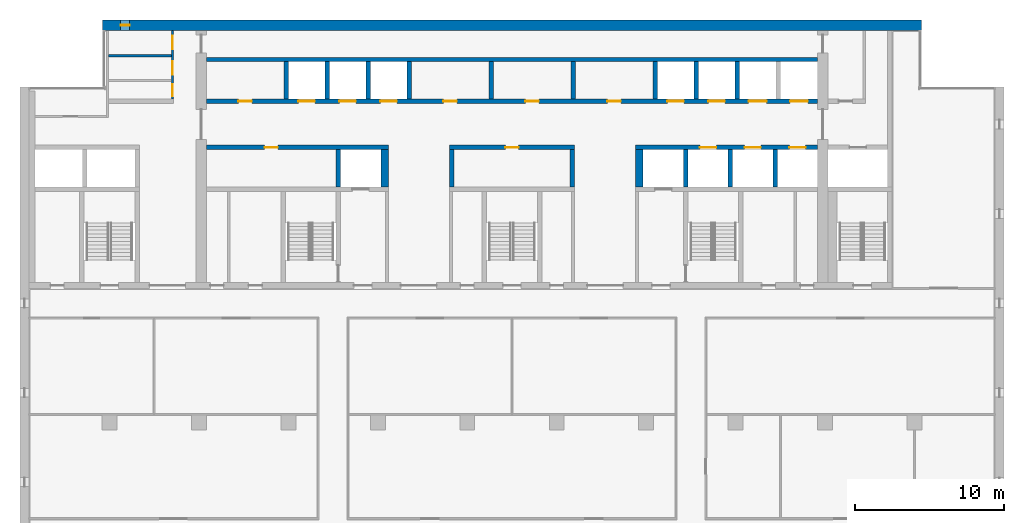
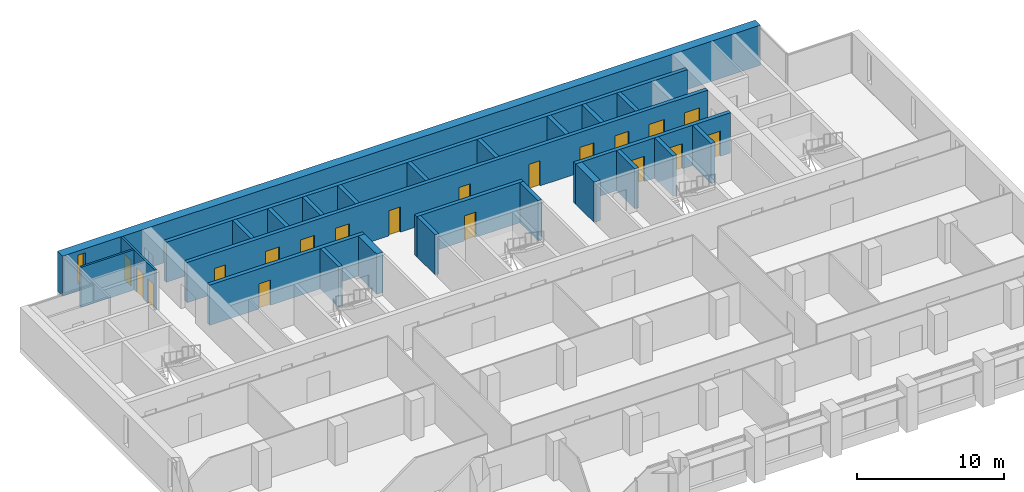
# One storey, part 11 of 17: 25 walls, 19 doors, 1 window, 20 openings.
"""IFC4 building model written with IfcOpenShell, lengths in metres."""

import ifcopenshell
import ifcopenshell.guid

model = None  # the IFC model being written
_history = None  # IfcOwnerHistory: only IFC2X3 demands one
_inside = {}  # id of a spatial element -> (the spatial element, [elements in it])
_under = {}  # id of a project, library or spatial element -> (it, [spatial elements below it])
_declared = {}  # id of a project -> (the project, [libraries it declares])
_typed = {}  # id of a type object -> (the type object, [elements of that type])
_made_of = {}  # id of a material, layer set ... -> (it, [elements and type objects made of it])


def new_model(schema):
    """Start an empty IFC model of exactly this schema.

    Asked for "IFC4X3", IfcOpenShell would pick the latest addendum, in which some entities
    have other attributes; the version numbers below select the first issue.
    IFC2X3 requires an IfcOwnerHistory on every rooted entity: one is made here for all.
    """
    global model, _history
    if schema == "IFC4X3":
        model = ifcopenshell.file(schema_version=(4, 3, 0, 0))
    else:
        model = ifcopenshell.file(schema=schema)
    _inside.clear()
    _under.clear()
    _declared.clear()
    _typed.clear()
    _made_of.clear()
    _history = None
    if model.schema == "IFC2X3":
        org = make("IfcOrganization", Name="unknown")
        user = make(
            "IfcPersonAndOrganization",
            ThePerson=make("IfcPerson", FamilyName="unknown"),
            TheOrganization=org,
        )
        app = make(
            "IfcApplication",
            ApplicationDeveloper=org,
            Version="unknown",
            ApplicationFullName="unknown",
            ApplicationIdentifier="unknown",
        )
        _history = make(
            "IfcOwnerHistory",
            OwningUser=user,
            OwningApplication=app,
            ChangeAction="ADDED",
            CreationDate=0,
        )
    return model


def make(cls, **values):
    """One entity of the class cls with the attributes given. An attribute that is None is left unset."""
    return model.create_entity(
        cls, **{name: value for name, value in values.items() if value is not None}
    )


def rooted(cls, **values):
    """An entity with a GlobalId (a new one), such as an element, a storey or a relation."""
    return make(cls, GlobalId=ifcopenshell.guid.new(), OwnerHistory=_history, **values)


def si_unit(unit_type, name, prefix=None):
    """IfcSIUnit, for example si_unit("LENGTHUNIT", "METRE", prefix="MILLI")."""
    return make("IfcSIUnit", UnitType=unit_type, Prefix=prefix, Name=name)


def assignment(units):
    """IfcUnitAssignment: the units of a project."""
    return None if units is None else make("IfcUnitAssignment", Units=units)


def point(xyz):
    """IfcCartesianPoint."""
    return None if xyz is None else make("IfcCartesianPoint", Coordinates=xyz)


def direction(xyz):
    """IfcDirection."""
    return None if xyz is None else make("IfcDirection", DirectionRatios=xyz)


def frame(location, z_axis=None, x_axis=None):
    """IfcAxis2Placement3D, a coordinate frame: its origin and axes. An axis left out is left unset."""
    return make(
        "IfcAxis2Placement3D",
        Location=point(location),
        Axis=direction(z_axis),
        RefDirection=direction(x_axis),
    )


def frame_2d(location, x_axis=None):
    """IfcAxis2Placement2D, a coordinate frame in the plane: its origin and x axis."""
    return make(
        "IfcAxis2Placement2D", Location=point(location), RefDirection=direction(x_axis)
    )


def origin():
    """The frame at (0, 0, 0) with its axes left unset."""
    return frame((0.0, 0.0, 0.0))


def place(relative_to, where):
    """IfcLocalPlacement: puts the frame where relative to a parent placement (None: the world)."""
    return make(
        "IfcLocalPlacement", PlacementRelTo=relative_to, RelativePlacement=where
    )


def context(
    kind, dimensions, precision=None, world=None, true_north=None, identifier=None
):
    """IfcGeometricRepresentationContext, for example the 3D "Model" context."""
    return make(
        "IfcGeometricRepresentationContext",
        ContextIdentifier=identifier,
        ContextType=kind,
        CoordinateSpaceDimension=dimensions,
        Precision=precision,
        WorldCoordinateSystem=world,
        TrueNorth=true_north,
    )


def subcontext(parent, identifier, kind, view, scale=None):
    """IfcGeometricRepresentationSubContext, for example "Body" below "Model"."""
    return make(
        "IfcGeometricRepresentationSubContext",
        ContextIdentifier=identifier,
        ContextType=kind,
        ParentContext=parent,
        TargetScale=scale,
        TargetView=view,
    )


def project(units=None, contexts=None):
    """IfcProject with its units and contexts."""
    return rooted(
        "IfcProject",
        Name="project",
        RepresentationContexts=contexts,
        UnitsInContext=assignment(units),
    )


def spatial(cls, under=None, at=None, **own):
    """A site, building, storey or space (cls), placed at a placement, below another one or the project."""
    s = rooted(cls, ObjectPlacement=at, **own)
    if under is not None:
        _under.setdefault(under.id(), (under, []))[1].append(s)
    return s


def profile(cls, at=None, kind="AREA", **sizes):
    """A parametric profile (cls). Its sizes go by their IFC names, for example OverallWidth=200.0."""
    return make(cls, ProfileType=kind, Position=at, **sizes)


def rectangle(**sizes):
    """IfcRectangleProfileDef."""
    return profile("IfcRectangleProfileDef", **sizes)


def extrude(swept, where, along, depth):
    """IfcExtrudedAreaSolid: the profile swept, set in the frame where, extruded along a direction by depth."""
    return make(
        "IfcExtrudedAreaSolid",
        SweptArea=swept,
        Position=where,
        ExtrudedDirection=direction(along),
        Depth=depth,
    )


def shape(context_of_items, identifier, shape_type, items):
    """IfcShapeRepresentation: the items that make up one representation, for example the "Body"."""
    return make(
        "IfcShapeRepresentation",
        ContextOfItems=context_of_items,
        RepresentationIdentifier=identifier,
        RepresentationType=shape_type,
        Items=items,
    )


def material(Name=None, Category=None):
    """IfcMaterial."""
    return make("IfcMaterial", Name=Name, Category=Category)


def layer(
    of_material, thickness, ventilated=None, Name=None, Category=None, Priority=None
):
    """IfcMaterialLayer: one layer of a wall or slab, of a material (None: an air gap)."""
    return make(
        "IfcMaterialLayer",
        Material=of_material,
        LayerThickness=thickness,
        IsVentilated=ventilated,
        Name=Name,
        Category=Category,
        Priority=Priority,
    )


def layer_set(layers, Name=None):
    """IfcMaterialLayerSet."""
    return make("IfcMaterialLayerSet", MaterialLayers=layers, LayerSetName=Name)


def made_of(thing, what):
    """Note that an element or type object is made of a material, layer set ...; save() writes the relation."""
    if what is not None:
        _made_of.setdefault(what.id(), (what, []))[1].append(thing)
    return thing


def type_object(cls, material=None, **own):
    """A type object (cls), such as IfcWallType, which elements share."""
    return made_of(rooted(cls, **own), material)


def element(
    cls,
    number,
    at=None,
    inside=None,
    cuts=None,
    type_object=None,
    material=None,
    context=None,
    identifier="Body",
    shape_type=None,
    held_by="IfcProductDefinitionShape",
    body=None,
    shapes=None,
    **own,
):
    """One element of the class cls, such as IfcWall. Its Tag is "e" and its number.

    at: its placement. inside: the storey or other place that contains it. cuts: it is an
    opening in that element (IfcRelVoidsElement). A single representation is given by context,
    identifier, shape_type and body (its items); several are given by shapes. held_by: the class
    of the entity that holds the representations. save() writes the other relations.
    """
    e = rooted(cls, Tag="e%d" % number, ObjectPlacement=at, **own)
    if body is not None:
        shapes = [shape(context, identifier, shape_type, body)]
    if shapes is not None:
        e.Representation = make(held_by, Representations=shapes)
    if inside is not None:
        _inside.setdefault(inside.id(), (inside, []))[1].append(e)
    if cuts is not None:
        rooted(
            "IfcRelVoidsElement", RelatingBuildingElement=cuts, RelatedOpeningElement=e
        )
    if type_object is not None:
        _typed.setdefault(type_object.id(), (type_object, []))[1].append(e)
    return made_of(e, material)


def fill(opening, filler):
    """IfcRelFillsElement: the door or window that sits in an opening."""
    return rooted(
        "IfcRelFillsElement",
        RelatingOpeningElement=opening,
        RelatedBuildingElement=filler,
    )


def aggregate(whole, parts):
    """IfcRelAggregates: a whole, such as a stair, and the parts it consists of."""
    return rooted("IfcRelAggregates", RelatingObject=whole, RelatedObjects=parts)


def save(model, path):
    """Write the relations noted so far, then the file.

    IfcRelAggregates (storeys below a building ...), IfcRelContainedInSpatialStructure (elements
    in a storey), IfcRelDefinesByType, IfcRelAssociatesMaterial and IfcRelDeclares: one each for
    every whole, place, type object, material and project.
    """
    for whole, parts in _under.values():
        aggregate(whole, parts)
    for where, things in _inside.values():
        rooted(
            "IfcRelContainedInSpatialStructure",
            RelatedElements=things,
            RelatingStructure=where,
        )
    for kind, things in _typed.values():
        rooted("IfcRelDefinesByType", RelatedObjects=things, RelatingType=kind)
    for what, things in _made_of.values():
        rooted("IfcRelAssociatesMaterial", RelatedObjects=things, RelatingMaterial=what)
    for by, libraries in _declared.values():
        rooted("IfcRelDeclares", RelatingContext=by, RelatedDefinitions=libraries)
    model.write(path)


model = new_model("IFC4")

# Units and contexts
model_context = context("Model", 3, precision=1e-05, world=origin(), true_north=direction((0.0, 1.0)))
body_context = subcontext(model_context, "Body", "Model", "MODEL_VIEW")
ifc_project = project(units=[si_unit("LENGTHUNIT", "METRE"), si_unit("AREAUNIT", "SQUARE_METRE"), si_unit("VOLUMEUNIT", "CUBIC_METRE"), si_unit("PLANEANGLEUNIT", "RADIAN"), si_unit("MASSUNIT", "GRAM", prefix="KILO")], contexts=[model_context])

# Site, building, storey
site_placement = place(None, origin())
site = spatial("IfcSite", under=ifc_project, at=site_placement, CompositionType="ELEMENT")
building_placement = place(site_placement, origin())
building = spatial("IfcBuilding", under=site, at=building_placement, Name="Calvaro Tower", CompositionType="ELEMENT")
storey_placement = place(building_placement, frame((0.0, 0.0, 219.25)))
storey = spatial("IfcBuildingStorey", under=building, at=storey_placement, Name="L55", CompositionType="ELEMENT", Elevation=219.25)

# Wall
ifc_material_1 = material(Name="Blockwork partition", Category="masonry")
ifc_layer_1 = layer(ifc_material_1, 0.14990234375)
ifc_layer_set_1 = layer_set([ifc_layer_1], Name="Blockwork partition")
wall_type_1 = type_object("IfcWallType", Name="Core partition 150 EI 60", PredefinedType="PARTITIONING", material=ifc_layer_set_1)
wall_1_placement = place(storey_placement, frame((11.949951171875, 43.60009765625, 0.0), z_axis=(0.0, 0.0, 1.0), x_axis=(1.0, 0.0, 0.0)))
element("IfcWall", 1, at=wall_1_placement, inside=storey, type_object=wall_type_1, Name="Core partition", PredefinedType="PARTITIONING", context=body_context, shape_type="SweptSolid", body=[
    extrude(rectangle(XDim=4.199951171875, YDim=0.14990234375, at=frame_2d((2.10009765625, 0.0))), origin(), (0.0, 0.0, 1.0), 3.35009765625),
])

# Wall, openings, doors
ifc_material_2 = material(Name="Blockwork partition", Category="masonry")
ifc_layer_2 = layer(ifc_material_2, 0.14990234375)
ifc_layer_set_2 = layer_set([ifc_layer_2], Name="Blockwork partition")
wall_type_2 = type_object("IfcWallType", Name="Core partition 150 REI 120", PredefinedType="PARTITIONING", material=ifc_layer_set_2)
wall_2_placement = place(storey_placement, frame((16.22509765625, 45.300048828125, 0.0), z_axis=(0.0, 0.0, 1.0), x_axis=(0.0, -1.0, 0.0)))
wall_2 = element("IfcWall", 2, at=wall_2_placement, inside=storey, type_object=wall_type_2, Name="Core partition", PredefinedType="PARTITIONING", context=body_context, shape_type="SweptSolid", body=[
    extrude(rectangle(XDim=4.60009765625, YDim=0.14990234375, at=frame_2d((2.300048828125, 0.0))), origin(), (0.0, 0.0, 1.0), 3.35009765625),
])
opening_1_placement = place(wall_2_placement, frame((3.612548828125, 0.0, 0.0)))
opening_1 = element("IfcOpeningElement", 3, at=opening_1_placement, cuts=wall_2, Name="Opening RD8C", PredefinedType="OPENING", context=body_context, shape_type="SweptSolid", body=[
    extrude(rectangle(XDim=0.800048828125, YDim=2.10009765625, at=frame_2d((0.39990234375, 1.050048828125))), frame((0.0, 0.0849609375, 0.0), z_axis=(0.0, -1.0, 0.0), x_axis=(1.0, 0.0, 0.0)), (0.0, 0.0, 1.0), 0.169921875),
])
opening_2_placement = place(wall_2_placement, frame((2.074951171875, 0.0, 0.0)))
opening_2 = element("IfcOpeningElement", 4, at=opening_2_placement, cuts=wall_2, Name="Opening RD9", PredefinedType="OPENING", context=body_context, shape_type="SweptSolid", body=[
    extrude(rectangle(XDim=0.89990234375, YDim=2.10009765625, at=frame_2d((0.449951171875, 1.050048828125))), frame((0.0, 0.0849609375, 0.0), z_axis=(0.0, -1.0, 0.0), x_axis=(1.0, 0.0, 0.0)), (0.0, 0.0, 1.0), 0.169921875),
])
opening_3_placement = place(wall_2_placement, frame((0.362548828125, 0.0, 0.0)))
opening_3 = element("IfcOpeningElement", 5, at=opening_3_placement, cuts=wall_2, Name="Opening RD9", PredefinedType="OPENING", context=body_context, shape_type="SweptSolid", body=[
    extrude(rectangle(XDim=0.89990234375, YDim=2.10009765625, at=frame_2d((0.449951171875, 1.050048828125))), frame((0.0, 0.0849609375, 0.0), z_axis=(0.0, -1.0, 0.0), x_axis=(1.0, 0.0, 0.0)), (0.0, 0.0, 1.0), 0.169921875),
])
ifc_material_3 = material(Name="Steel door set", Category="steel")
door_type_1 = type_object("IfcDoorType", Name="Room door 800 FD30", OperationType="SINGLE_SWING_LEFT", PredefinedType="DOOR", material=ifc_material_3)
door_1_placement = place(opening_1_placement, origin())
door_1 = element("IfcDoor", 6, at=door_1_placement, inside=storey, type_object=door_type_1, Name="Room door", OperationType="SINGLE_SWING_RIGHT", OverallHeight=2.10009765625, OverallWidth=0.800048828125, PredefinedType="DOOR", context=body_context, shape_type="SweptSolid", body=[
    extrude(rectangle(XDim=0.800048828125, YDim=2.10009765625, at=frame_2d((0.39990234375, 1.050048828125))), frame((0.0, 0.02490234375, 0.0), z_axis=(0.0, -1.0, 0.0), x_axis=(1.0, 0.0, 0.0)), (0.0, 0.0, 1.0), 0.050048828125),
])
fill(opening_1, door_1)
ifc_material_4 = material(Name="Steel door set", Category="steel")
door_type_2 = type_object("IfcDoorType", Name="Room door 900", OperationType="SINGLE_SWING_LEFT", PredefinedType="DOOR", material=ifc_material_4)
door_2_placement = place(opening_2_placement, origin())
door_2 = element("IfcDoor", 7, at=door_2_placement, inside=storey, type_object=door_type_2, Name="Room door", OperationType="SINGLE_SWING_RIGHT", OverallHeight=2.10009765625, OverallWidth=0.89990234375, PredefinedType="DOOR", context=body_context, shape_type="SweptSolid", body=[
    extrude(rectangle(XDim=0.89990234375, YDim=2.10009765625, at=frame_2d((0.449951171875, 1.050048828125))), frame((0.0, 0.02490234375, 0.0), z_axis=(0.0, -1.0, 0.0), x_axis=(1.0, 0.0, 0.0)), (0.0, 0.0, 1.0), 0.050048828125),
])
fill(opening_2, door_2)
door_3_placement = place(opening_3_placement, origin())
door_3 = element("IfcDoor", 8, at=door_3_placement, inside=storey, type_object=door_type_2, Name="Room door", OperationType="SINGLE_SWING_RIGHT", OverallHeight=2.10009765625, OverallWidth=0.89990234375, PredefinedType="DOOR", context=body_context, shape_type="SweptSolid", body=[
    extrude(rectangle(XDim=0.89990234375, YDim=2.10009765625, at=frame_2d((0.449951171875, 1.050048828125))), frame((0.0, 0.02490234375, 0.0), z_axis=(0.0, -1.0, 0.0), x_axis=(1.0, 0.0, 0.0)), (0.0, 0.0, 1.0), 0.050048828125),
])
fill(opening_3, door_3)

# Walls
ifc_material_5 = material(Name="Blockwork partition", Category="masonry")
ifc_layer_3 = layer(ifc_material_5, 0.300048828125)
ifc_layer_set_3 = layer_set([ifc_layer_3], Name="Blockwork partition")
wall_type_3 = type_object("IfcWallType", Name="Core partition 300 EI 60", PredefinedType="PARTITIONING", material=ifc_layer_set_3)
wall_3_placement = place(storey_placement, frame((43.10009765625, 40.699951171875, 0.0), z_axis=(0.0, 0.0, 1.0), x_axis=(0.0, 1.0, 0.0)))
element("IfcWall", 9, at=wall_3_placement, inside=storey, type_object=wall_type_3, Name="Core partition", PredefinedType="PARTITIONING", context=body_context, shape_type="SweptSolid", body=[
    extrude(rectangle(XDim=2.5, YDim=0.300048828125, at=frame_2d((1.25, 0.0))), origin(), (0.0, 0.0, 1.0), 3.35009765625),
])
ifc_material_6 = material(Name="Blockwork partition", Category="masonry")
ifc_layer_4 = layer(ifc_material_6, 0.300048828125)
ifc_layer_set_4 = layer_set([ifc_layer_4], Name="Blockwork partition")
wall_type_4 = type_object("IfcWallType", Name="Core partition 300 REI 120", PredefinedType="PARTITIONING", material=ifc_layer_set_4)
wall_4_placement = place(storey_placement, frame((37.60009765625, 40.699951171875, 0.0), z_axis=(0.0, 0.0, 1.0), x_axis=(0.0, 1.0, 0.0)))
element("IfcWall", 10, at=wall_4_placement, inside=storey, type_object=wall_type_4, Name="Core partition", PredefinedType="PARTITIONING", context=body_context, shape_type="SweptSolid", body=[
    extrude(rectangle(XDim=2.5, YDim=0.300048828125, at=frame_2d((1.25, 0.0))), origin(), (0.0, 0.0, 1.0), 3.35009765625),
])

# Wall, opening, door
ifc_material_7 = material(Name="Concrete C50/60", Category="concrete")
ifc_layer_5 = layer(ifc_material_7, 0.300048828125)
ifc_layer_set_5 = layer_set([ifc_layer_5], Name="Concrete C50/60")
wall_type_5 = type_object("IfcWallType", Name="Core wall C50/60 300", PredefinedType="SHEAR", material=ifc_layer_set_5)
wall_5_placement = place(storey_placement, frame((30.699951171875, 37.449951171875, 0.0), z_axis=(0.0, 0.0, 1.0), x_axis=(-1.0, 0.0, 0.0)))
wall_5 = element("IfcWall", 11, at=wall_5_placement, inside=storey, type_object=wall_type_5, Name="Core wall, bay", PredefinedType="SHEAR", context=body_context, shape_type="SweptSolid", body=[
    extrude(rectangle(XDim=12.199951171875, YDim=0.300048828125, at=frame_2d((6.10009765625, 0.0))), origin(), (0.0, 0.0, 1.0), 3.35009765625),
])
opening_4_placement = place(wall_5_placement, frame((7.39990234375, 0.0, 0.0)))
opening_4 = element("IfcOpeningElement", 12, at=opening_4_placement, cuts=wall_5, Name="Opening RD9E", PredefinedType="OPENING", context=body_context, shape_type="SweptSolid", body=[
    extrude(rectangle(XDim=0.89990234375, YDim=2.10009765625, at=frame_2d((0.449951171875, 1.050048828125))), frame((0.0, 0.159912109375, 0.0), z_axis=(0.0, -1.0, 0.0), x_axis=(1.0, 0.0, 0.0)), (0.0, 0.0, 1.0), 0.320068359375),
])
ifc_material_8 = material(Name="Steel door set", Category="steel")
door_type_3 = type_object("IfcDoorType", Name="Room door 900 FD60", OperationType="SINGLE_SWING_LEFT", PredefinedType="DOOR", material=ifc_material_8)
door_4_placement = place(opening_4_placement, origin())
door_4 = element("IfcDoor", 13, at=door_4_placement, inside=storey, type_object=door_type_3, Name="Room door", OperationType="SINGLE_SWING_LEFT", OverallHeight=2.10009765625, OverallWidth=0.89990234375, PredefinedType="DOOR", context=body_context, shape_type="SweptSolid", body=[
    extrude(rectangle(XDim=0.89990234375, YDim=2.10009765625, at=frame_2d((0.449951171875, 1.050048828125))), frame((0.0, 0.02490234375, 0.0), z_axis=(0.0, -1.0, 0.0), x_axis=(1.0, 0.0, 0.0)), (0.0, 0.0, 1.0), 0.050048828125),
])
fill(opening_4, door_4)

wall_6_placement = place(storey_placement, frame((43.199951171875, 37.449951171875, 0.0), z_axis=(0.0, 0.0, 1.0), x_axis=(-1.0, 0.0, 0.0)))
wall_6 = element("IfcWall", 14, at=wall_6_placement, inside=storey, type_object=wall_type_5, Name="Core wall, bay", PredefinedType="SHEAR", context=body_context, shape_type="SweptSolid", body=[
    extrude(rectangle(XDim=8.39990234375, YDim=0.300048828125, at=frame_2d((4.199951171875, 0.0))), origin(), (0.0, 0.0, 1.0), 3.35009765625),
])
opening_5_placement = place(wall_6_placement, frame((3.75, 0.0, 0.0)))
opening_5 = element("IfcOpeningElement", 15, at=opening_5_placement, cuts=wall_6, Name="Opening RD9E", PredefinedType="OPENING", context=body_context, shape_type="SweptSolid", body=[
    extrude(rectangle(XDim=0.89990234375, YDim=2.10009765625, at=frame_2d((0.449951171875, 1.050048828125))), frame((0.0, 0.159912109375, 0.0), z_axis=(0.0, -1.0, 0.0), x_axis=(1.0, 0.0, 0.0)), (0.0, 0.0, 1.0), 0.320068359375),
])
door_5_placement = place(opening_5_placement, origin())
door_5 = element("IfcDoor", 16, at=door_5_placement, inside=storey, type_object=door_type_3, Name="Room door", OperationType="SINGLE_SWING_RIGHT", OverallHeight=2.10009765625, OverallWidth=0.89990234375, PredefinedType="DOOR", context=body_context, shape_type="SweptSolid", body=[
    extrude(rectangle(XDim=0.89990234375, YDim=2.10009765625, at=frame_2d((0.449951171875, 1.050048828125))), frame((0.0, 0.02490234375, 0.0), z_axis=(0.0, -1.0, 0.0), x_axis=(1.0, 0.0, 0.0)), (0.0, 0.0, 1.0), 0.050048828125),
])
fill(opening_5, door_5)

# Wall, openings, doors
wall_7_placement = place(storey_placement, frame((47.300048828125, 37.449951171875, 0.0), z_axis=(0.0, 0.0, 1.0), x_axis=(1.0, 0.0, 0.0)))
wall_7 = element("IfcWall", 17, at=wall_7_placement, inside=storey, type_object=wall_type_5, Name="Core wall, lift shaft", PredefinedType="SHEAR", context=body_context, shape_type="SweptSolid", body=[
    extrude(rectangle(XDim=12.199951171875, YDim=0.300048828125, at=frame_2d((6.10009765625, 0.0))), origin(), (0.0, 0.0, 1.0), 3.35009765625),
])
opening_6_placement = place(wall_7_placement, frame((4.300048828125, 0.0, 0.0)))
opening_6 = element("IfcOpeningElement", 18, at=opening_6_placement, cuts=wall_7, Name="Opening HR1", PredefinedType="OPENING", context=body_context, shape_type="SweptSolid", body=[
    extrude(rectangle(XDim=1.10009765625, YDim=2.10009765625, at=frame_2d((0.550048828125, 1.050048828125))), frame((0.0, 0.159912109375, 0.0), z_axis=(0.0, -1.0, 0.0), x_axis=(1.0, 0.0, 0.0)), (0.0, 0.0, 1.0), 0.320068359375),
])
opening_7_placement = place(wall_7_placement, frame((7.300048828125, 0.0, 0.0)))
opening_7 = element("IfcOpeningElement", 19, at=opening_7_placement, cuts=wall_7, Name="Opening HR2", PredefinedType="OPENING", context=body_context, shape_type="SweptSolid", body=[
    extrude(rectangle(XDim=1.10009765625, YDim=2.10009765625, at=frame_2d((0.550048828125, 1.050048828125))), frame((0.0, 0.159912109375, 0.0), z_axis=(0.0, -1.0, 0.0), x_axis=(1.0, 0.0, 0.0)), (0.0, 0.0, 1.0), 0.320068359375),
])
opening_8_placement = place(wall_7_placement, frame((10.300048828125, 0.0, 0.0)))
opening_8 = element("IfcOpeningElement", 20, at=opening_8_placement, cuts=wall_7, Name="Opening HR3", PredefinedType="OPENING", context=body_context, shape_type="SweptSolid", body=[
    extrude(rectangle(XDim=1.10009765625, YDim=2.10009765625, at=frame_2d((0.550048828125, 1.050048828125))), frame((0.0, 0.159912109375, 0.0), z_axis=(0.0, -1.0, 0.0), x_axis=(1.0, 0.0, 0.0)), (0.0, 0.0, 1.0), 0.320068359375),
])
ifc_material_9 = material(Name="Stainless steel", Category="steel")
door_type_4 = type_object("IfcDoorType", Name="Landing door 1100 E 60", OperationType="SLIDING_TO_LEFT", PredefinedType="DOOR", material=ifc_material_9)
door_6_placement = place(opening_6_placement, origin())
door_6 = element("IfcDoor", 21, at=door_6_placement, inside=storey, type_object=door_type_4, Name="Landing door HR1", OperationType="SLIDING_TO_LEFT", OverallHeight=2.10009765625, OverallWidth=1.10009765625, PredefinedType="DOOR", context=body_context, shape_type="SweptSolid", body=[
    extrude(rectangle(XDim=1.10009765625, YDim=2.10009765625, at=frame_2d((0.550048828125, 1.050048828125))), frame((0.0, 0.02490234375, 0.0), z_axis=(0.0, -1.0, 0.0), x_axis=(1.0, 0.0, 0.0)), (0.0, 0.0, 1.0), 0.050048828125),
])
fill(opening_6, door_6)
door_7_placement = place(opening_7_placement, origin())
door_7 = element("IfcDoor", 22, at=door_7_placement, inside=storey, type_object=door_type_4, Name="Landing door HR2", OperationType="SLIDING_TO_LEFT", OverallHeight=2.10009765625, OverallWidth=1.10009765625, PredefinedType="DOOR", context=body_context, shape_type="SweptSolid", body=[
    extrude(rectangle(XDim=1.10009765625, YDim=2.10009765625, at=frame_2d((0.550048828125, 1.050048828125))), frame((0.0, 0.02490234375, 0.0), z_axis=(0.0, -1.0, 0.0), x_axis=(1.0, 0.0, 0.0)), (0.0, 0.0, 1.0), 0.050048828125),
])
fill(opening_7, door_7)
door_8_placement = place(opening_8_placement, origin())
door_8 = element("IfcDoor", 23, at=door_8_placement, inside=storey, type_object=door_type_4, Name="Landing door HR3", OperationType="SLIDING_TO_LEFT", OverallHeight=2.10009765625, OverallWidth=1.10009765625, PredefinedType="DOOR", context=body_context, shape_type="SweptSolid", body=[
    extrude(rectangle(XDim=1.10009765625, YDim=2.10009765625, at=frame_2d((0.550048828125, 1.050048828125))), frame((0.0, 0.02490234375, 0.0), z_axis=(0.0, -1.0, 0.0), x_axis=(1.0, 0.0, 0.0)), (0.0, 0.0, 1.0), 0.050048828125),
])
fill(opening_8, door_8)

# Walls
for number, where, z_axis, x_axis, name in (
    (24, (27.35009765625, 34.800048828125, 0.0), (0.0, 0.0, 1.0), (0.0, 1.0, 0.0), "Core wall, lift shaft"),
    (25, (34.949951171875, 34.800048828125, 0.0), (0.0, 0.0, 1.0), (0.0, 1.0, 0.0), "Core wall, lift shaft"),
    (26, (43.050048828125, 34.800048828125, 0.0), (0.0, 0.0, 1.0), (0.0, 1.0, 0.0), "Core wall, lift shaft"),
    (27, (50.64990234375, 34.800048828125, 0.0), (0.0, 0.0, 1.0), (0.0, 1.0, 0.0), "Core wall, lift shaft"),
):
    element("IfcWall", number, at=place(storey_placement, frame(where, z_axis=z_axis, x_axis=x_axis)), inside=storey, type_object=wall_type_5, Name=name, PredefinedType="SHEAR", context=body_context, shape_type="SweptSolid", body=[
        extrude(rectangle(XDim=2.5, YDim=0.300048828125, at=frame_2d((1.25, 0.0))), origin(), (0.0, 0.0, 1.0), 3.35009765625),
    ])

# Wall, openings, doors
wall_8_placement = place(storey_placement, frame((18.5, 40.550048828125, 0.0), z_axis=(0.0, 0.0, 1.0), x_axis=(1.0, 0.0, 0.0)))
wall_8 = element("IfcWall", 28, at=wall_8_placement, inside=storey, type_object=wall_type_5, Name="Core wall, bay", PredefinedType="SHEAR", context=body_context, shape_type="SweptSolid", body=[
    extrude(rectangle(XDim=41.0, YDim=0.300048828125, at=frame_2d((20.5, 0.0))), origin(), (0.0, 0.0, 1.0), 3.35009765625),
])
opening_9_placement = place(wall_8_placement, frame((2.14990234375, 0.0, 0.0)))
opening_9 = element("IfcOpeningElement", 29, at=opening_9_placement, cuts=wall_8, Name="Opening RD9E", PredefinedType="OPENING", context=body_context, shape_type="SweptSolid", body=[
    extrude(rectangle(XDim=0.89990234375, YDim=2.10009765625, at=frame_2d((0.449951171875, 1.050048828125))), frame((0.0, 0.159912109375, 0.0), z_axis=(0.0, -1.0, 0.0), x_axis=(1.0, 0.0, 0.0)), (0.0, 0.0, 1.0), 0.320068359375),
])
opening_10_placement = place(wall_8_placement, frame((15.89990234375, 0.0, 0.0)))
opening_10 = element("IfcOpeningElement", 30, at=opening_10_placement, cuts=wall_8, Name="Opening RD9E", PredefinedType="OPENING", context=body_context, shape_type="SweptSolid", body=[
    extrude(rectangle(XDim=0.89990234375, YDim=2.10009765625, at=frame_2d((0.449951171875, 1.050048828125))), frame((0.0, 0.159912109375, 0.0), z_axis=(0.0, -1.0, 0.0), x_axis=(1.0, 0.0, 0.0)), (0.0, 0.0, 1.0), 0.320068359375),
])
opening_11_placement = place(wall_8_placement, frame((21.39990234375, 0.0, 0.0)))
opening_11 = element("IfcOpeningElement", 31, at=opening_11_placement, cuts=wall_8, Name="Opening RD9E", PredefinedType="OPENING", context=body_context, shape_type="SweptSolid", body=[
    extrude(rectangle(XDim=0.89990234375, YDim=2.10009765625, at=frame_2d((0.449951171875, 1.050048828125))), frame((0.0, 0.159912109375, 0.0), z_axis=(0.0, -1.0, 0.0), x_axis=(1.0, 0.0, 0.0)), (0.0, 0.0, 1.0), 0.320068359375),
])
opening_12_placement = place(wall_8_placement, frame((26.89990234375, 0.0, 0.0)))
opening_12 = element("IfcOpeningElement", 32, at=opening_12_placement, cuts=wall_8, Name="Opening RD9C", PredefinedType="OPENING", context=body_context, shape_type="SweptSolid", body=[
    extrude(rectangle(XDim=0.89990234375, YDim=2.10009765625, at=frame_2d((0.449951171875, 1.050048828125))), frame((0.0, 0.159912109375, 0.0), z_axis=(0.0, -1.0, 0.0), x_axis=(1.0, 0.0, 0.0)), (0.0, 0.0, 1.0), 0.320068359375),
])
opening_13_placement = place(wall_8_placement, frame((6.175048828125, 0.0, 0.0)))
opening_13 = element("IfcOpeningElement", 33, at=opening_13_placement, cuts=wall_8, Name="Opening HR4", PredefinedType="OPENING", context=body_context, shape_type="SweptSolid", body=[
    extrude(rectangle(XDim=1.10009765625, YDim=2.10009765625, at=frame_2d((0.550048828125, 1.050048828125))), frame((0.0, 0.159912109375, 0.0), z_axis=(0.0, -1.0, 0.0), x_axis=(1.0, 0.0, 0.0)), (0.0, 0.0, 1.0), 0.320068359375),
])
opening_14_placement = place(wall_8_placement, frame((8.925048828125, 0.0, 0.0)))
opening_14 = element("IfcOpeningElement", 34, at=opening_14_placement, cuts=wall_8, Name="Opening HR5", PredefinedType="OPENING", context=body_context, shape_type="SweptSolid", body=[
    extrude(rectangle(XDim=1.10009765625, YDim=2.10009765625, at=frame_2d((0.550048828125, 1.050048828125))), frame((0.0, 0.159912109375, 0.0), z_axis=(0.0, -1.0, 0.0), x_axis=(1.0, 0.0, 0.0)), (0.0, 0.0, 1.0), 0.320068359375),
])
opening_15_placement = place(wall_8_placement, frame((11.675048828125, 0.0, 0.0)))
opening_15 = element("IfcOpeningElement", 35, at=opening_15_placement, cuts=wall_8, Name="Opening HR6", PredefinedType="OPENING", context=body_context, shape_type="SweptSolid", body=[
    extrude(rectangle(XDim=1.10009765625, YDim=2.10009765625, at=frame_2d((0.550048828125, 1.050048828125))), frame((0.0, 0.159912109375, 0.0), z_axis=(0.0, -1.0, 0.0), x_axis=(1.0, 0.0, 0.0)), (0.0, 0.0, 1.0), 0.320068359375),
])
opening_16_placement = place(wall_8_placement, frame((30.925048828125, 0.0, 0.0)))
opening_16 = element("IfcOpeningElement", 36, at=opening_16_placement, cuts=wall_8, Name="Opening HR7", PredefinedType="OPENING", context=body_context, shape_type="SweptSolid", body=[
    extrude(rectangle(XDim=1.10009765625, YDim=2.10009765625, at=frame_2d((0.550048828125, 1.050048828125))), frame((0.0, 0.159912109375, 0.0), z_axis=(0.0, -1.0, 0.0), x_axis=(1.0, 0.0, 0.0)), (0.0, 0.0, 1.0), 0.320068359375),
])
opening_17_placement = place(wall_8_placement, frame((33.675048828125, 0.0, 0.0)))
opening_17 = element("IfcOpeningElement", 37, at=opening_17_placement, cuts=wall_8, Name="Opening HR8", PredefinedType="OPENING", context=body_context, shape_type="SweptSolid", body=[
    extrude(rectangle(XDim=1.10009765625, YDim=2.10009765625, at=frame_2d((0.550048828125, 1.050048828125))), frame((0.0, 0.159912109375, 0.0), z_axis=(0.0, -1.0, 0.0), x_axis=(1.0, 0.0, 0.0)), (0.0, 0.0, 1.0), 0.320068359375),
])
opening_18_placement = place(wall_8_placement, frame((36.375, 0.0, 0.0)))
opening_18 = element("IfcOpeningElement", 38, at=opening_18_placement, cuts=wall_8, Name="Opening SV1", PredefinedType="OPENING", context=body_context, shape_type="SweptSolid", body=[
    extrude(rectangle(XDim=1.199951171875, YDim=2.10009765625, at=frame_2d((0.60009765625, 1.050048828125))), frame((0.0, 0.159912109375, 0.0), z_axis=(0.0, -1.0, 0.0), x_axis=(1.0, 0.0, 0.0)), (0.0, 0.0, 1.0), 0.320068359375),
])
opening_19_placement = place(wall_8_placement, frame((39.14990234375, 0.0, 0.0)))
opening_19 = element("IfcOpeningElement", 39, at=opening_19_placement, cuts=wall_8, Name="Opening SV2", PredefinedType="OPENING", context=body_context, shape_type="SweptSolid", body=[
    extrude(rectangle(XDim=1.199951171875, YDim=2.10009765625, at=frame_2d((0.60009765625, 1.050048828125))), frame((0.0, 0.159912109375, 0.0), z_axis=(0.0, -1.0, 0.0), x_axis=(1.0, 0.0, 0.0)), (0.0, 0.0, 1.0), 0.320068359375),
])
door_9_placement = place(opening_13_placement, origin())
door_9 = element("IfcDoor", 40, at=door_9_placement, inside=storey, type_object=door_type_4, Name="Landing door HR4", OperationType="SLIDING_TO_LEFT", OverallHeight=2.10009765625, OverallWidth=1.10009765625, PredefinedType="DOOR", context=body_context, shape_type="SweptSolid", body=[
    extrude(rectangle(XDim=1.10009765625, YDim=2.10009765625, at=frame_2d((0.550048828125, 1.050048828125))), frame((0.0, 0.02490234375, 0.0), z_axis=(0.0, -1.0, 0.0), x_axis=(1.0, 0.0, 0.0)), (0.0, 0.0, 1.0), 0.050048828125),
])
fill(opening_13, door_9)
door_10_placement = place(opening_14_placement, origin())
door_10 = element("IfcDoor", 41, at=door_10_placement, inside=storey, type_object=door_type_4, Name="Landing door HR5", OperationType="SLIDING_TO_LEFT", OverallHeight=2.10009765625, OverallWidth=1.10009765625, PredefinedType="DOOR", context=body_context, shape_type="SweptSolid", body=[
    extrude(rectangle(XDim=1.10009765625, YDim=2.10009765625, at=frame_2d((0.550048828125, 1.050048828125))), frame((0.0, 0.02490234375, 0.0), z_axis=(0.0, -1.0, 0.0), x_axis=(1.0, 0.0, 0.0)), (0.0, 0.0, 1.0), 0.050048828125),
])
fill(opening_14, door_10)
door_11_placement = place(opening_15_placement, origin())
door_11 = element("IfcDoor", 42, at=door_11_placement, inside=storey, type_object=door_type_4, Name="Landing door HR6", OperationType="SLIDING_TO_LEFT", OverallHeight=2.10009765625, OverallWidth=1.10009765625, PredefinedType="DOOR", context=body_context, shape_type="SweptSolid", body=[
    extrude(rectangle(XDim=1.10009765625, YDim=2.10009765625, at=frame_2d((0.550048828125, 1.050048828125))), frame((0.0, 0.02490234375, 0.0), z_axis=(0.0, -1.0, 0.0), x_axis=(1.0, 0.0, 0.0)), (0.0, 0.0, 1.0), 0.050048828125),
])
fill(opening_15, door_11)
door_12_placement = place(opening_16_placement, origin())
door_12 = element("IfcDoor", 43, at=door_12_placement, inside=storey, type_object=door_type_4, Name="Landing door HR7", OperationType="SLIDING_TO_LEFT", OverallHeight=2.10009765625, OverallWidth=1.10009765625, PredefinedType="DOOR", context=body_context, shape_type="SweptSolid", body=[
    extrude(rectangle(XDim=1.10009765625, YDim=2.10009765625, at=frame_2d((0.550048828125, 1.050048828125))), frame((0.0, 0.02490234375, 0.0), z_axis=(0.0, -1.0, 0.0), x_axis=(1.0, 0.0, 0.0)), (0.0, 0.0, 1.0), 0.050048828125),
])
fill(opening_16, door_12)
door_13_placement = place(opening_17_placement, origin())
door_13 = element("IfcDoor", 44, at=door_13_placement, inside=storey, type_object=door_type_4, Name="Landing door HR8", OperationType="SLIDING_TO_LEFT", OverallHeight=2.10009765625, OverallWidth=1.10009765625, PredefinedType="DOOR", context=body_context, shape_type="SweptSolid", body=[
    extrude(rectangle(XDim=1.10009765625, YDim=2.10009765625, at=frame_2d((0.550048828125, 1.050048828125))), frame((0.0, 0.02490234375, 0.0), z_axis=(0.0, -1.0, 0.0), x_axis=(1.0, 0.0, 0.0)), (0.0, 0.0, 1.0), 0.050048828125),
])
fill(opening_17, door_13)
ifc_material_10 = material(Name="Stainless steel", Category="steel")
door_type_5 = type_object("IfcDoorType", Name="Landing door 1200 E 60", OperationType="SLIDING_TO_LEFT", PredefinedType="DOOR", material=ifc_material_10)
door_14_placement = place(opening_18_placement, origin())
door_14 = element("IfcDoor", 45, at=door_14_placement, inside=storey, type_object=door_type_5, Name="Landing door SV1", OperationType="SLIDING_TO_LEFT", OverallHeight=2.10009765625, OverallWidth=1.199951171875, PredefinedType="DOOR", context=body_context, shape_type="SweptSolid", body=[
    extrude(rectangle(XDim=1.199951171875, YDim=2.10009765625, at=frame_2d((0.60009765625, 1.050048828125))), frame((0.0, 0.02490234375, 0.0), z_axis=(0.0, -1.0, 0.0), x_axis=(1.0, 0.0, 0.0)), (0.0, 0.0, 1.0), 0.050048828125),
])
fill(opening_18, door_14)
door_15_placement = place(opening_19_placement, origin())
door_15 = element("IfcDoor", 46, at=door_15_placement, inside=storey, type_object=door_type_5, Name="Landing door SV2", OperationType="SLIDING_TO_LEFT", OverallHeight=2.10009765625, OverallWidth=1.199951171875, PredefinedType="DOOR", context=body_context, shape_type="SweptSolid", body=[
    extrude(rectangle(XDim=1.199951171875, YDim=2.10009765625, at=frame_2d((0.60009765625, 1.050048828125))), frame((0.0, 0.02490234375, 0.0), z_axis=(0.0, -1.0, 0.0), x_axis=(1.0, 0.0, 0.0)), (0.0, 0.0, 1.0), 0.050048828125),
])
fill(opening_19, door_15)
ifc_material_11 = material(Name="Steel door set", Category="steel")
door_type_6 = type_object("IfcDoorType", Name="Room door 900 FD30", OperationType="SINGLE_SWING_LEFT", PredefinedType="DOOR", material=ifc_material_11)
door_16_placement = place(opening_12_placement, origin())
door_16 = element("IfcDoor", 47, at=door_16_placement, inside=storey, type_object=door_type_6, Name="Room door", OperationType="SINGLE_SWING_LEFT", OverallHeight=2.10009765625, OverallWidth=0.89990234375, PredefinedType="DOOR", context=body_context, shape_type="SweptSolid", body=[
    extrude(rectangle(XDim=0.89990234375, YDim=2.10009765625, at=frame_2d((0.449951171875, 1.050048828125))), frame((0.0, 0.02490234375, 0.0), z_axis=(0.0, -1.0, 0.0), x_axis=(1.0, 0.0, 0.0)), (0.0, 0.0, 1.0), 0.050048828125),
])
fill(opening_12, door_16)
door_17_placement = place(opening_9_placement, origin())
door_17 = element("IfcDoor", 48, at=door_17_placement, inside=storey, type_object=door_type_3, Name="Room door", OperationType="SINGLE_SWING_RIGHT", OverallHeight=2.10009765625, OverallWidth=0.89990234375, PredefinedType="DOOR", context=body_context, shape_type="SweptSolid", body=[
    extrude(rectangle(XDim=0.89990234375, YDim=2.10009765625, at=frame_2d((0.449951171875, 1.050048828125))), frame((0.0, 0.02490234375, 0.0), z_axis=(0.0, -1.0, 0.0), x_axis=(1.0, 0.0, 0.0)), (0.0, 0.0, 1.0), 0.050048828125),
])
fill(opening_9, door_17)
door_18_placement = place(opening_10_placement, origin())
door_18 = element("IfcDoor", 49, at=door_18_placement, inside=storey, type_object=door_type_3, Name="Room door", OperationType="SINGLE_SWING_LEFT", OverallHeight=2.10009765625, OverallWidth=0.89990234375, PredefinedType="DOOR", context=body_context, shape_type="SweptSolid", body=[
    extrude(rectangle(XDim=0.89990234375, YDim=2.10009765625, at=frame_2d((0.449951171875, 1.050048828125))), frame((0.0, 0.02490234375, 0.0), z_axis=(0.0, -1.0, 0.0), x_axis=(1.0, 0.0, 0.0)), (0.0, 0.0, 1.0), 0.050048828125),
])
fill(opening_10, door_18)
door_19_placement = place(opening_11_placement, origin())
door_19 = element("IfcDoor", 50, at=door_19_placement, inside=storey, type_object=door_type_3, Name="Room door", OperationType="SINGLE_SWING_LEFT", OverallHeight=2.10009765625, OverallWidth=0.89990234375, PredefinedType="DOOR", context=body_context, shape_type="SweptSolid", body=[
    extrude(rectangle(XDim=0.89990234375, YDim=2.10009765625, at=frame_2d((0.449951171875, 1.050048828125))), frame((0.0, 0.02490234375, 0.0), z_axis=(0.0, -1.0, 0.0), x_axis=(1.0, 0.0, 0.0)), (0.0, 0.0, 1.0), 0.050048828125),
])
fill(opening_11, door_19)

# Walls
wall_9_placement = place(storey_placement, frame((18.5, 43.35009765625, 0.0), z_axis=(0.0, 0.0, 1.0), x_axis=(1.0, 0.0, 0.0)))
element("IfcWall", 51, at=wall_9_placement, inside=storey, type_object=wall_type_5, Name="Core wall, lift shaft", PredefinedType="SHEAR", context=body_context, shape_type="SweptSolid", body=[
    extrude(rectangle(XDim=41.0, YDim=0.300048828125, at=frame_2d((20.5, 0.0))), origin(), (0.0, 0.0, 1.0), 3.35009765625),
])
for number, where, z_axis, x_axis, name in (
    (52, (53.64990234375, 34.800048828125, 0.0), (0.0, 0.0, 1.0), (0.0, 1.0, 0.0), "Core wall, lift shaft"),
    (53, (56.64990234375, 34.800048828125, 0.0), (0.0, 0.0, 1.0), (0.0, 1.0, 0.0), "Core wall, lift shaft"),
    (54, (23.85009765625, 40.699951171875, 0.0), (0.0, 0.0, 1.0), (0.0, 1.0, 0.0), "Core wall, lift shaft"),
    (55, (26.60009765625, 40.699951171875, 0.0), (0.0, 0.0, 1.0), (0.0, 1.0, 0.0), "Core wall, lift shaft"),
    (56, (29.35009765625, 40.699951171875, 0.0), (0.0, 0.0, 1.0), (0.0, 1.0, 0.0), "Core wall, lift shaft"),
    (57, (32.10009765625, 40.699951171875, 0.0), (0.0, 0.0, 1.0), (0.0, 1.0, 0.0), "Core wall, lift shaft"),
    (58, (48.60009765625, 40.699951171875, 0.0), (0.0, 0.0, 1.0), (0.0, 1.0, 0.0), "Core wall, lift shaft"),
    (59, (51.35009765625, 40.699951171875, 0.0), (0.0, 0.0, 1.0), (0.0, 1.0, 0.0), "Core wall, lift shaft"),
    (60, (54.10009765625, 40.699951171875, 0.0), (0.0, 0.0, 1.0), (0.0, 1.0, 0.0), "Core wall, lift shaft"),
):
    element("IfcWall", number, at=place(storey_placement, frame(where, z_axis=z_axis, x_axis=x_axis)), inside=storey, type_object=wall_type_5, Name=name, PredefinedType="SHEAR", context=body_context, shape_type="SweptSolid", body=[
        extrude(rectangle(XDim=2.5, YDim=0.300048828125, at=frame_2d((1.25, 0.0))), origin(), (0.0, 0.0, 1.0), 3.35009765625),
    ])
ifc_material_12 = material(Name="Concrete C50/60", Category="concrete")
ifc_layer_6 = layer(ifc_material_12, 0.5)
ifc_layer_set_6 = layer_set([ifc_layer_6], Name="Concrete C50/60")
wall_type_6 = type_object("IfcWallType", Name="Core wall C50/60 500", PredefinedType="SHEAR", material=ifc_layer_set_6)
for number, where, z_axis, x_axis, name in (
    (61, (30.449951171875, 34.800048828125, 0.0), (0.0, 0.0, 1.0), (0.0, 1.0, 0.0), "Core wall, lift shaft"),
    (62, (47.550048828125, 34.800048828125, 0.0), (0.0, 0.0, 1.0), (0.0, 1.0, 0.0), "Core wall, lift shaft"),
):
    element("IfcWall", number, at=place(storey_placement, frame(where, z_axis=z_axis, x_axis=x_axis)), inside=storey, type_object=wall_type_6, Name=name, PredefinedType="SHEAR", context=body_context, shape_type="SweptSolid", body=[
        extrude(rectangle(XDim=2.5, YDim=0.5, at=frame_2d((1.25, 0.0))), origin(), (0.0, 0.0, 1.0), 3.35009765625),
    ])

# Wall, opening, window
ifc_material_13 = material(Name="Concrete C50/60", Category="concrete")
ifc_layer_7 = layer(ifc_material_13, 0.699951171875)
ifc_layer_set_7 = layer_set([ifc_layer_7], Name="Concrete C50/60")
wall_type_7 = type_object("IfcWallType", Name="Rear core wall 700 C50/60", PredefinedType="SHEAR", material=ifc_layer_set_7)
wall_10_placement = place(storey_placement, frame((11.550048828125, 45.64990234375, 0.0), z_axis=(0.0, 0.0, 1.0), x_axis=(1.0, 0.0, 0.0)))
wall_10 = element("IfcWall", 63, at=wall_10_placement, inside=storey, type_object=wall_type_7, Name="North core wall", PredefinedType="SHEAR", context=body_context, shape_type="SweptSolid", body=[
    extrude(rectangle(XDim=54.89990234375, YDim=0.699951171875, at=frame_2d((27.449951171875, 0.0))), origin(), (0.0, 0.0, 1.0), 3.35009765625),
])
opening_20_placement = place(wall_10_placement, frame((1.199951171875, 0.0, 0.60009765625)))
opening_20 = element("IfcOpeningElement", 64, at=opening_20_placement, cuts=wall_10, Name="Opening WN01", PredefinedType="OPENING", context=body_context, shape_type="SweptSolid", body=[
    extrude(rectangle(XDim=0.60009765625, YDim=2.39990234375, at=frame_2d((0.300048828125, 1.199951171875))), frame((0.0, 0.35986328125, 0.0), z_axis=(0.0, -1.0, 0.0), x_axis=(1.0, 0.0, 0.0)), (0.0, 0.0, 1.0), 0.719970703125),
])
ifc_material_14 = material(Name="Glass", Category="glass")
window_type = type_object("IfcWindowType", Name="Slit window 600 x 2400", PartitioningType="SINGLE_PANEL", PredefinedType="WINDOW", material=ifc_material_14)
window_placement = place(opening_20_placement, origin())
window = element("IfcWindow", 65, at=window_placement, inside=storey, type_object=window_type, Name="Window WN01", OverallHeight=2.39990234375, OverallWidth=0.60009765625, PartitioningType="SINGLE_PANEL", PredefinedType="WINDOW", context=body_context, shape_type="SweptSolid", body=[
    extrude(rectangle(XDim=0.60009765625, YDim=2.39990234375, at=frame_2d((0.300048828125, 1.199951171875))), frame((0.0, 0.030029296875, 0.0), z_axis=(0.0, -1.0, 0.0), x_axis=(1.0, 0.0, 0.0)), (0.0, 0.0, 1.0), 0.06005859375),
])
fill(opening_20, window)

save(model, "model.ifc")
